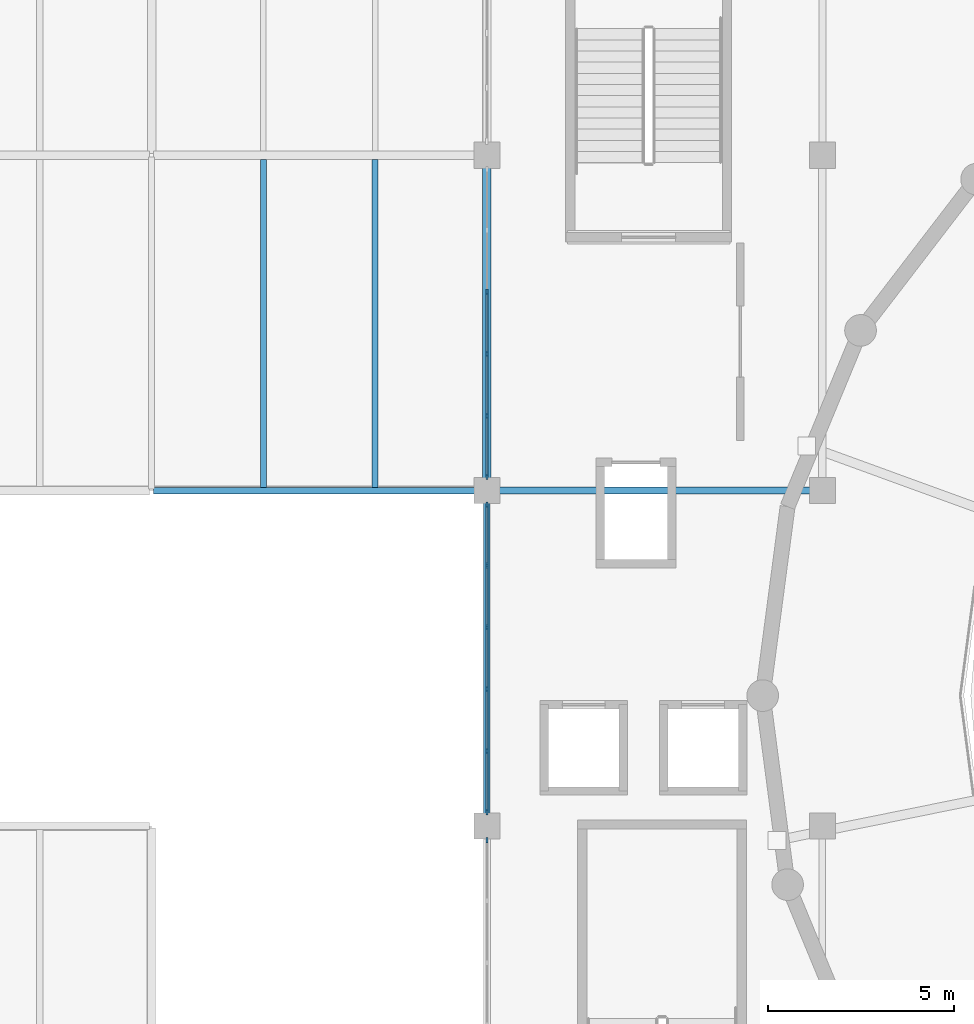
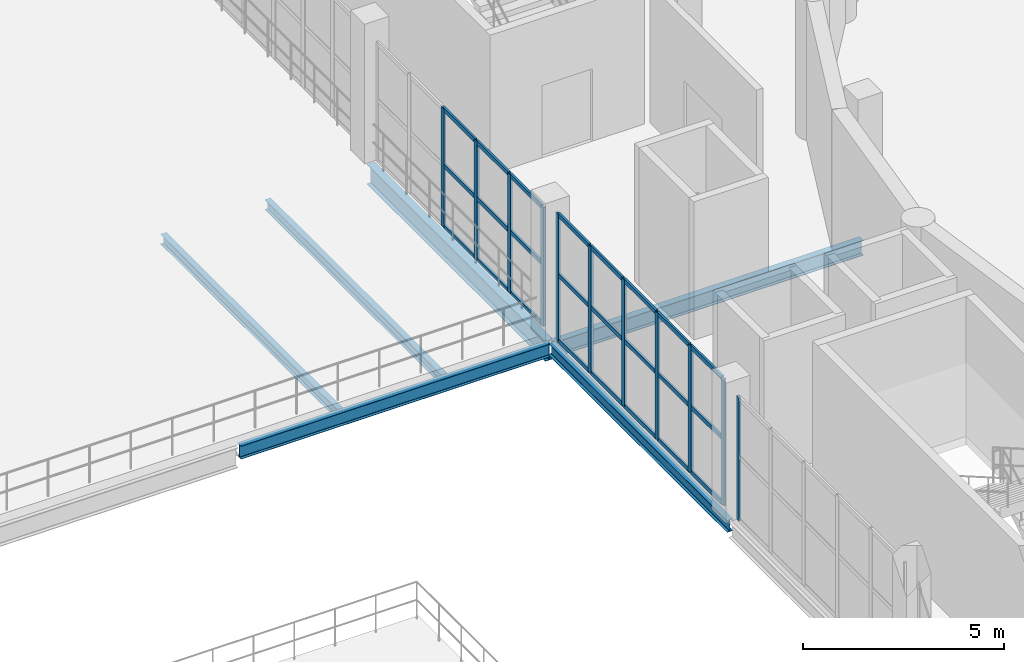
# One storey, part 22 of 73: 35 members, 6 beams, 3 elements without a shape of their own.
"""IFC4 building model written with IfcOpenShell, lengths in metres."""

import ifcopenshell
import ifcopenshell.guid

model = None  # the IFC model being written
_history = None  # IfcOwnerHistory: only IFC2X3 demands one
_inside = {}  # id of a spatial element -> (the spatial element, [elements in it])
_under = {}  # id of a project, library or spatial element -> (it, [spatial elements below it])
_declared = {}  # id of a project -> (the project, [libraries it declares])
_typed = {}  # id of a type object -> (the type object, [elements of that type])
_made_of = {}  # id of a material, layer set ... -> (it, [elements and type objects made of it])


def new_model(schema):
    """Start an empty IFC model of exactly this schema.

    Asked for "IFC4X3", IfcOpenShell would pick the latest addendum, in which some entities
    have other attributes; the version numbers below select the first issue.
    IFC2X3 requires an IfcOwnerHistory on every rooted entity: one is made here for all.
    """
    global model, _history
    if schema == "IFC4X3":
        model = ifcopenshell.file(schema_version=(4, 3, 0, 0))
    else:
        model = ifcopenshell.file(schema=schema)
    _inside.clear()
    _under.clear()
    _declared.clear()
    _typed.clear()
    _made_of.clear()
    _history = None
    if model.schema == "IFC2X3":
        org = make("IfcOrganization", Name="unknown")
        user = make(
            "IfcPersonAndOrganization",
            ThePerson=make("IfcPerson", FamilyName="unknown"),
            TheOrganization=org,
        )
        app = make(
            "IfcApplication",
            ApplicationDeveloper=org,
            Version="unknown",
            ApplicationFullName="unknown",
            ApplicationIdentifier="unknown",
        )
        _history = make(
            "IfcOwnerHistory",
            OwningUser=user,
            OwningApplication=app,
            ChangeAction="ADDED",
            CreationDate=0,
        )
    return model


def make(cls, **values):
    """One entity of the class cls with the attributes given. An attribute that is None is left unset."""
    return model.create_entity(
        cls, **{name: value for name, value in values.items() if value is not None}
    )


def rooted(cls, **values):
    """An entity with a GlobalId (a new one), such as an element, a storey or a relation."""
    return make(cls, GlobalId=ifcopenshell.guid.new(), OwnerHistory=_history, **values)


def si_unit(unit_type, name, prefix=None):
    """IfcSIUnit, for example si_unit("LENGTHUNIT", "METRE", prefix="MILLI")."""
    return make("IfcSIUnit", UnitType=unit_type, Prefix=prefix, Name=name)


def assignment(units):
    """IfcUnitAssignment: the units of a project."""
    return None if units is None else make("IfcUnitAssignment", Units=units)


def point(xyz):
    """IfcCartesianPoint."""
    return None if xyz is None else make("IfcCartesianPoint", Coordinates=xyz)


def direction(xyz):
    """IfcDirection."""
    return None if xyz is None else make("IfcDirection", DirectionRatios=xyz)


def frame(location, z_axis=None, x_axis=None):
    """IfcAxis2Placement3D, a coordinate frame: its origin and axes. An axis left out is left unset."""
    return make(
        "IfcAxis2Placement3D",
        Location=point(location),
        Axis=direction(z_axis),
        RefDirection=direction(x_axis),
    )


def frame_2d(location, x_axis=None):
    """IfcAxis2Placement2D, a coordinate frame in the plane: its origin and x axis."""
    return make(
        "IfcAxis2Placement2D", Location=point(location), RefDirection=direction(x_axis)
    )


def origin():
    """The frame at (0, 0, 0) with its axes left unset."""
    return frame((0.0, 0.0, 0.0))


def origin_2d():
    """The frame at (0, 0) in the plane with its x axis left unset."""
    return frame_2d((0.0, 0.0))


def place(relative_to, where):
    """IfcLocalPlacement: puts the frame where relative to a parent placement (None: the world)."""
    return make(
        "IfcLocalPlacement", PlacementRelTo=relative_to, RelativePlacement=where
    )


def context(
    kind, dimensions, precision=None, world=None, true_north=None, identifier=None
):
    """IfcGeometricRepresentationContext, for example the 3D "Model" context."""
    return make(
        "IfcGeometricRepresentationContext",
        ContextIdentifier=identifier,
        ContextType=kind,
        CoordinateSpaceDimension=dimensions,
        Precision=precision,
        WorldCoordinateSystem=world,
        TrueNorth=true_north,
    )


def subcontext(parent, identifier, kind, view, scale=None):
    """IfcGeometricRepresentationSubContext, for example "Body" below "Model"."""
    return make(
        "IfcGeometricRepresentationSubContext",
        ContextIdentifier=identifier,
        ContextType=kind,
        ParentContext=parent,
        TargetScale=scale,
        TargetView=view,
    )


def project(units=None, contexts=None):
    """IfcProject with its units and contexts."""
    return rooted(
        "IfcProject",
        Name="project",
        RepresentationContexts=contexts,
        UnitsInContext=assignment(units),
    )


def spatial(cls, under=None, at=None, **own):
    """A site, building, storey or space (cls), placed at a placement, below another one or the project."""
    s = rooted(cls, ObjectPlacement=at, **own)
    if under is not None:
        _under.setdefault(under.id(), (under, []))[1].append(s)
    return s


def profile(cls, at=None, kind="AREA", **sizes):
    """A parametric profile (cls). Its sizes go by their IFC names, for example OverallWidth=200.0."""
    return make(cls, ProfileType=kind, Position=at, **sizes)


def rectangle(**sizes):
    """IfcRectangleProfileDef."""
    return profile("IfcRectangleProfileDef", **sizes)


def i_section(**sizes):
    """IfcIShapeProfileDef."""
    return profile("IfcIShapeProfileDef", **sizes)


def extrude(swept, where, along, depth):
    """IfcExtrudedAreaSolid: the profile swept, set in the frame where, extruded along a direction by depth."""
    return make(
        "IfcExtrudedAreaSolid",
        SweptArea=swept,
        Position=where,
        ExtrudedDirection=direction(along),
        Depth=depth,
    )


def shape(context_of_items, identifier, shape_type, items):
    """IfcShapeRepresentation: the items that make up one representation, for example the "Body"."""
    return make(
        "IfcShapeRepresentation",
        ContextOfItems=context_of_items,
        RepresentationIdentifier=identifier,
        RepresentationType=shape_type,
        Items=items,
    )


def material(Name=None, Category=None):
    """IfcMaterial."""
    return make("IfcMaterial", Name=Name, Category=Category)


def layer(
    of_material, thickness, ventilated=None, Name=None, Category=None, Priority=None
):
    """IfcMaterialLayer: one layer of a wall or slab, of a material (None: an air gap)."""
    return make(
        "IfcMaterialLayer",
        Material=of_material,
        LayerThickness=thickness,
        IsVentilated=ventilated,
        Name=Name,
        Category=Category,
        Priority=Priority,
    )


def layer_set(layers, Name=None):
    """IfcMaterialLayerSet."""
    return make("IfcMaterialLayerSet", MaterialLayers=layers, LayerSetName=Name)


def material_profile(
    of_material, cross_section, Name=None, Category=None, Priority=None
):
    """IfcMaterialProfile: a cross section and its material."""
    return make(
        "IfcMaterialProfile",
        Name=Name,
        Material=of_material,
        Profile=cross_section,
        Priority=Priority,
        Category=Category,
    )


def profile_set(profiles, Name=None, composite=None):
    """IfcMaterialProfileSet."""
    return make(
        "IfcMaterialProfileSet",
        Name=Name,
        MaterialProfiles=profiles,
        CompositeProfile=composite,
    )


def made_of(thing, what):
    """Note that an element or type object is made of a material, layer set ...; save() writes the relation."""
    if what is not None:
        _made_of.setdefault(what.id(), (what, []))[1].append(thing)
    return thing


def type_object(cls, material=None, **own):
    """A type object (cls), such as IfcWallType, which elements share."""
    return made_of(rooted(cls, **own), material)


def element(
    cls,
    number,
    at=None,
    inside=None,
    cuts=None,
    type_object=None,
    material=None,
    context=None,
    identifier="Body",
    shape_type=None,
    held_by="IfcProductDefinitionShape",
    body=None,
    shapes=None,
    **own,
):
    """One element of the class cls, such as IfcWall. Its Tag is "e" and its number.

    at: its placement. inside: the storey or other place that contains it. cuts: it is an
    opening in that element (IfcRelVoidsElement). A single representation is given by context,
    identifier, shape_type and body (its items); several are given by shapes. held_by: the class
    of the entity that holds the representations. save() writes the other relations.
    """
    e = rooted(cls, Tag="e%d" % number, ObjectPlacement=at, **own)
    if body is not None:
        shapes = [shape(context, identifier, shape_type, body)]
    if shapes is not None:
        e.Representation = make(held_by, Representations=shapes)
    if inside is not None:
        _inside.setdefault(inside.id(), (inside, []))[1].append(e)
    if cuts is not None:
        rooted(
            "IfcRelVoidsElement", RelatingBuildingElement=cuts, RelatedOpeningElement=e
        )
    if type_object is not None:
        _typed.setdefault(type_object.id(), (type_object, []))[1].append(e)
    return made_of(e, material)


def aggregate(whole, parts):
    """IfcRelAggregates: a whole, such as a stair, and the parts it consists of."""
    return rooted("IfcRelAggregates", RelatingObject=whole, RelatedObjects=parts)


def save(model, path):
    """Write the relations noted so far, then the file.

    IfcRelAggregates (storeys below a building ...), IfcRelContainedInSpatialStructure (elements
    in a storey), IfcRelDefinesByType, IfcRelAssociatesMaterial and IfcRelDeclares: one each for
    every whole, place, type object, material and project.
    """
    for whole, parts in _under.values():
        aggregate(whole, parts)
    for where, things in _inside.values():
        rooted(
            "IfcRelContainedInSpatialStructure",
            RelatedElements=things,
            RelatingStructure=where,
        )
    for kind, things in _typed.values():
        rooted("IfcRelDefinesByType", RelatedObjects=things, RelatingType=kind)
    for what, things in _made_of.values():
        rooted("IfcRelAssociatesMaterial", RelatedObjects=things, RelatingMaterial=what)
    for by, libraries in _declared.values():
        rooted("IfcRelDeclares", RelatingContext=by, RelatedDefinitions=libraries)
    model.write(path)


model = new_model("IFC4")

# Units and contexts
model_context = context("Model", 3, precision=1e-05, world=origin(), true_north=direction((0.0, 1.0)))
body_context = subcontext(model_context, "Body", "Model", "MODEL_VIEW")
ifc_project = project(units=[si_unit("LENGTHUNIT", "METRE"), si_unit("AREAUNIT", "SQUARE_METRE"), si_unit("VOLUMEUNIT", "CUBIC_METRE"), si_unit("PLANEANGLEUNIT", "RADIAN"), si_unit("MASSUNIT", "GRAM", prefix="KILO")], contexts=[model_context])

# Site, building, storey
site_placement = place(None, origin())
site = spatial("IfcSite", under=ifc_project, at=site_placement, CompositionType="ELEMENT")
building_placement = place(site_placement, origin())
building = spatial("IfcBuilding", under=site, at=building_placement, Name="Marnock Terrace Opera House", CompositionType="ELEMENT")
storey_placement = place(building_placement, frame((0.0, 0.0, 14.699951171875)))
storey = spatial("IfcBuildingStorey", under=building, at=storey_placement, Name="L03", CompositionType="ELEMENT", Elevation=14.699951171875)

# Beams
ifc_material_1 = material(Name="Steel Grade 350 (AS/NZS 3679.1)", Category="steel")
ifc_material_profile_1 = material_profile(ifc_material_1, i_section(OverallWidth=0.1708984375, OverallDepth=0.355712890625, WebThickness=0.00732421875, FlangeThickness=0.011474609375, FilletRadius=0.011474609375, at=origin_2d()))
ifc_profile_set_1 = profile_set([ifc_material_profile_1], Name="Steel Grade 350 (AS/NZS 3679.1)")
beam_type_1 = type_object("IfcBeamType", Name="BM-GIRD-360", PredefinedType="BEAM", material=ifc_profile_set_1)
beam_1_placement = place(storey_placement, frame((55.0, 57.050048828125, -0.44775390625), z_axis=(0.0, 1.0, 0.0), x_axis=(-1.0, 0.0, 0.0)))
element("IfcBeam", 1, at=beam_1_placement, inside=storey, type_object=beam_type_1, Name="L03 girder (X=55.0, 57.0..66.0)", PredefinedType="BEAM", context=body_context, shape_type="SweptSolid", body=[
    extrude(i_section(OverallWidth=0.1708984375, OverallDepth=0.355712890625, WebThickness=0.00732421875, FlangeThickness=0.011474609375, FilletRadius=0.011474609375, at=origin_2d()), origin(), (0.0, 0.0, 1.0), 8.89990234375),
])
ifc_material_profile_2 = material_profile(ifc_material_1, i_section(OverallWidth=0.177978515625, OverallDepth=0.402587890625, WebThickness=0.007568359375, FlangeThickness=0.010986328125, FilletRadius=0.011474609375, at=origin_2d()))
ifc_profile_set_2 = profile_set([ifc_material_profile_2], Name="Steel Grade 350 (AS/NZS 3679.1)")
beam_type_2 = type_object("IfcBeamType", Name="BM-GIRD-410", PredefinedType="BEAM", material=ifc_profile_set_2)
beam_2_placement = place(storey_placement, frame((46.050048828125, 66.0, -0.47119140625), z_axis=(1.0, 0.0, 0.0), x_axis=(0.0, 1.0, 0.0)))
element("IfcBeam", 2, at=beam_2_placement, inside=storey, type_object=beam_type_2, Name="L03 girder (46.0..55.0, Y=66.0)", PredefinedType="BEAM", context=body_context, shape_type="SweptSolid", body=[
    extrude(i_section(OverallWidth=0.177978515625, OverallDepth=0.402587890625, WebThickness=0.007568359375, FlangeThickness=0.010986328125, FilletRadius=0.011474609375, at=origin_2d()), origin(), (0.0, 0.0, 1.0), 8.89990234375),
])
ifc_material_profile_3 = material_profile(ifc_material_1, i_section(OverallWidth=0.19091796875, OverallDepth=0.46044921875, WebThickness=0.010009765625, FlangeThickness=0.01611328125, FilletRadius=0.011474609375, at=origin_2d()))
ifc_profile_set_3 = profile_set([ifc_material_profile_3], Name="Steel Grade 350 (AS/NZS 3679.1)")
beam_type_3 = type_object("IfcBeamType", Name="BM-GIRD-460A", PredefinedType="BEAM", material=ifc_profile_set_3)
beam_3_placement = place(storey_placement, frame((55.050048828125, 66.0, -0.500244140625), z_axis=(1.0, 0.0, 0.0), x_axis=(0.0, 1.0, 0.0)))
element("IfcBeam", 3, at=beam_3_placement, inside=storey, type_object=beam_type_3, Name="L03 girder (55.0..64.0, Y=66.0)", PredefinedType="BEAM", context=body_context, shape_type="SweptSolid", body=[
    extrude(i_section(OverallWidth=0.19091796875, OverallDepth=0.46044921875, WebThickness=0.010009765625, FlangeThickness=0.01611328125, FilletRadius=0.011474609375, at=origin_2d()), origin(), (0.0, 0.0, 1.0), 8.89990234375),
])
ifc_material_profile_4 = material_profile(ifc_material_1, i_section(OverallWidth=0.22802734375, OverallDepth=0.60205078125, WebThickness=0.010498046875, FlangeThickness=0.014892578125, FilletRadius=0.013916015625, at=origin_2d()))
ifc_profile_set_4 = profile_set([ifc_material_profile_4], Name="Steel Grade 350 (AS/NZS 3679.1)")
beam_type_4 = type_object("IfcBeamType", Name="BM-GIRD-610C", PredefinedType="BEAM", material=ifc_profile_set_4)
beam_4_placement = place(storey_placement, frame((55.0, 66.050048828125, -0.571044921875), z_axis=(0.0, 1.0, 0.0), x_axis=(-1.0, 0.0, 0.0)))
element("IfcBeam", 4, at=beam_4_placement, inside=storey, type_object=beam_type_4, Name="L03 girder (X=55.0, 66.0..75.0)", PredefinedType="BEAM", context=body_context, shape_type="SweptSolid", body=[
    extrude(i_section(OverallWidth=0.22802734375, OverallDepth=0.60205078125, WebThickness=0.010498046875, FlangeThickness=0.014892578125, FilletRadius=0.013916015625, at=origin_2d()), origin(), (0.0, 0.0, 1.0), 8.89990234375),
])
ifc_material_profile_5 = material_profile(ifc_material_1, i_section(OverallWidth=0.1650390625, OverallDepth=0.3037109375, WebThickness=0.006103515625, FlangeThickness=0.01025390625, FilletRadius=0.011474609375, at=origin_2d()))
ifc_profile_set_5 = profile_set([ifc_material_profile_5], Name="Steel Grade 350 (AS/NZS 3679.1)")
beam_type_5 = type_object("IfcBeamType", Name="BM-JOIST-310B", PredefinedType="JOIST", material=ifc_profile_set_5)
for number, where, z_axis, x_axis, name in (
    (5, (49.0, 66.083984375, -0.421875), (0.0, 1.0, 0.0), (-1.0, 0.0, 0.0), "L03 secondary joist 5.8.1"),
    (6, (52.0, 66.083984375, -0.421875), (0.0, 1.0, 0.0), (-1.0, 0.0, 0.0), "L03 secondary joist 5.8.2"),
):
    element("IfcBeam", number, at=place(storey_placement, frame(where, z_axis=z_axis, x_axis=x_axis)), inside=storey, type_object=beam_type_5, Name=name, PredefinedType="JOIST", context=body_context, shape_type="SweptSolid", body=[
        extrude(i_section(OverallWidth=0.1650390625, OverallDepth=0.3037109375, WebThickness=0.006103515625, FlangeThickness=0.01025390625, FilletRadius=0.011474609375, at=origin_2d()), origin(), (0.0, 0.0, 1.0), 8.806396484375),
    ])

# Curtain wall, member
ifc_material_2 = material(Name="Anodised architectural bronze aluminium framing", Category="aluminium")
ifc_layer = layer(ifc_material_2, 0.159912109375)
ifc_layer_set = layer_set([ifc_layer], Name="Anodised architectural bronze aluminium framing")
curtain_wall_type = type_object("IfcCurtainWallType", Name="CW-FOYER-90x42", PredefinedType="NOTDEFINED", material=ifc_layer_set)
curtain_wall_1_placement = place(storey_placement, origin())
curtain_wall_1 = element("IfcCurtainWall", 7, at=curtain_wall_1_placement, inside=storey, type_object=curtain_wall_type, Name="L03 glazed Beaux-Arts colonnade curtain wall CW-V1W-L03-06", PredefinedType="NOTDEFINED")
ifc_material_profile_6 = material_profile(ifc_material_2, rectangle(XDim=0.06005859375, YDim=0.14990234375, at=origin_2d()))
ifc_profile_set_6 = profile_set([ifc_material_profile_6], Name="Anodised architectural bronze aluminium framing")
member_type_1 = type_object("IfcMemberType", Name="CWM-60x150", PredefinedType="MULLION", material=ifc_profile_set_6)
member_1_placement = place(storey_placement, frame((55.0, 56.6240234375, 0.0), z_axis=(0.0, 0.0, 1.0), x_axis=(-1.0, 0.0, 0.0)))
member_1 = element("IfcMember", 8, at=member_1_placement, type_object=member_type_1, Name="CW-68 mullion 6", PredefinedType="MULLION", context=body_context, shape_type="SweptSolid", body=[
    extrude(rectangle(XDim=0.06005859375, YDim=0.14990234375, at=origin_2d()), origin(), (0.0, 0.0, 1.0), 3.74267578125),
])
aggregate(curtain_wall_1, [member_1])

# Curtain wall, members
curtain_wall_2_placement = place(storey_placement, origin())
curtain_wall_2 = element("IfcCurtainWall", 9, at=curtain_wall_2_placement, inside=storey, type_object=curtain_wall_type, Name="L03 glazed Beaux-Arts colonnade curtain wall CW-V1W-L03-07", PredefinedType="NOTDEFINED")
member_2_placement = place(storey_placement, frame((55.0, 57.3759765625, 0.0), z_axis=(0.0, 0.0, 1.0), x_axis=(-1.0, 0.0, 0.0)))
member_2 = element("IfcMember", 10, at=member_2_placement, type_object=member_type_1, Name="CW-68 mullion 1", PredefinedType="MULLION", context=body_context, shape_type="SweptSolid", body=[
    extrude(rectangle(XDim=0.06005859375, YDim=0.14990234375, at=origin_2d()), origin(), (0.0, 0.0, 1.0), 3.864501953125),
])
member_3_placement = place(storey_placement, frame((55.0, 59.007568359375, 0.0), z_axis=(0.0, 0.0, 1.0), x_axis=(-1.0, 0.0, 0.0)))
member_3 = element("IfcMember", 11, at=member_3_placement, type_object=member_type_1, Name="CW-68 mullion 2", PredefinedType="MULLION", context=body_context, shape_type="SweptSolid", body=[
    extrude(rectangle(XDim=0.06005859375, YDim=0.14990234375, at=origin_2d()), origin(), (0.0, 0.0, 1.0), 3.864501953125),
])
member_4_placement = place(storey_placement, frame((55.0, 60.669189453125, 0.0), z_axis=(0.0, 0.0, 1.0), x_axis=(-1.0, 0.0, 0.0)))
member_4 = element("IfcMember", 12, at=member_4_placement, type_object=member_type_1, Name="CW-68 mullion 3", PredefinedType="MULLION", context=body_context, shape_type="SweptSolid", body=[
    extrude(rectangle(XDim=0.06005859375, YDim=0.14990234375, at=origin_2d()), origin(), (0.0, 0.0, 1.0), 3.864501953125),
])
member_5_placement = place(storey_placement, frame((55.0, 62.330810546875, 0.0), z_axis=(0.0, 0.0, 1.0), x_axis=(-1.0, 0.0, 0.0)))
member_5 = element("IfcMember", 13, at=member_5_placement, type_object=member_type_1, Name="CW-68 mullion 4", PredefinedType="MULLION", context=body_context, shape_type="SweptSolid", body=[
    extrude(rectangle(XDim=0.06005859375, YDim=0.14990234375, at=origin_2d()), origin(), (0.0, 0.0, 1.0), 3.864501953125),
])
member_6_placement = place(storey_placement, frame((55.0, 63.992431640625, 0.0), z_axis=(0.0, 0.0, 1.0), x_axis=(-1.0, 0.0, 0.0)))
member_6 = element("IfcMember", 14, at=member_6_placement, type_object=member_type_1, Name="CW-68 mullion 5", PredefinedType="MULLION", context=body_context, shape_type="SweptSolid", body=[
    extrude(rectangle(XDim=0.06005859375, YDim=0.14990234375, at=origin_2d()), origin(), (0.0, 0.0, 1.0), 3.864501953125),
])
member_7_placement = place(storey_placement, frame((55.0, 65.6240234375, 0.0), z_axis=(0.0, 0.0, 1.0), x_axis=(-1.0, 0.0, 0.0)))
member_7 = element("IfcMember", 15, at=member_7_placement, type_object=member_type_1, Name="CW-68 mullion 6", PredefinedType="MULLION", context=body_context, shape_type="SweptSolid", body=[
    extrude(rectangle(XDim=0.06005859375, YDim=0.14990234375, at=origin_2d()), origin(), (0.0, 0.0, 1.0), 3.864501953125),
])

curtain_wall_3_placement = place(storey_placement, origin())
curtain_wall_3 = element("IfcCurtainWall", 16, at=curtain_wall_3_placement, inside=storey, type_object=curtain_wall_type, Name="L03 glazed Beaux-Arts colonnade curtain wall CW-V1W-L03-08", PredefinedType="NOTDEFINED")
member_8_placement = place(storey_placement, frame((55.0, 66.3759765625, 0.0), z_axis=(0.0, 0.0, 1.0), x_axis=(-1.0, 0.0, 0.0)))
member_8 = element("IfcMember", 17, at=member_8_placement, type_object=member_type_1, Name="CW-68 mullion 1", PredefinedType="MULLION", context=body_context, shape_type="SweptSolid", body=[
    extrude(rectangle(XDim=0.06005859375, YDim=0.14990234375, at=origin_2d()), origin(), (0.0, 0.0, 1.0), 3.6181640625),
])
member_9_placement = place(storey_placement, frame((55.0, 68.007568359375, 0.0), z_axis=(0.0, 0.0, 1.0), x_axis=(-1.0, 0.0, 0.0)))
member_9 = element("IfcMember", 18, at=member_9_placement, type_object=member_type_1, Name="CW-68 mullion 2", PredefinedType="MULLION", context=body_context, shape_type="SweptSolid", body=[
    extrude(rectangle(XDim=0.06005859375, YDim=0.14990234375, at=origin_2d()), origin(), (0.0, 0.0, 1.0), 3.6181640625),
])
member_10_placement = place(storey_placement, frame((55.0, 69.669189453125, 0.0), z_axis=(0.0, 0.0, 1.0), x_axis=(-1.0, 0.0, 0.0)))
member_10 = element("IfcMember", 19, at=member_10_placement, type_object=member_type_1, Name="CW-68 mullion 3", PredefinedType="MULLION", context=body_context, shape_type="SweptSolid", body=[
    extrude(rectangle(XDim=0.06005859375, YDim=0.14990234375, at=origin_2d()), origin(), (0.0, 0.0, 1.0), 3.6181640625),
])
member_11_placement = place(storey_placement, frame((55.0, 71.330810546875, 0.0), z_axis=(0.0, 0.0, 1.0), x_axis=(-1.0, 0.0, 0.0)))
member_11 = element("IfcMember", 20, at=member_11_placement, type_object=member_type_1, Name="CW-68 mullion 4", PredefinedType="MULLION", context=body_context, shape_type="SweptSolid", body=[
    extrude(rectangle(XDim=0.06005859375, YDim=0.14990234375, at=origin_2d()), origin(), (0.0, 0.0, 1.0), 3.6181640625),
])

# Member
ifc_material_profile_7 = material_profile(ifc_material_2, rectangle(XDim=0.06005859375, YDim=0.1298828125, at=origin_2d()))
ifc_profile_set_7 = profile_set([ifc_material_profile_7], Name="Anodised architectural bronze aluminium framing")
member_type_2 = type_object("IfcMemberType", Name="CWT-60x130", PredefinedType="USERDEFINED", material=ifc_profile_set_7)
member_12_placement = place(storey_placement, frame((55.0, 57.406005859375, 0.030029296875), z_axis=(0.0, 1.0, 0.0), x_axis=(-1.0, 0.0, 0.0)))
member_12 = element("IfcMember", 21, at=member_12_placement, type_object=member_type_2, Name="CW-68 transom 1.1", ObjectType="TRANSOM", PredefinedType="USERDEFINED", context=body_context, shape_type="SweptSolid", body=[
    extrude(rectangle(XDim=0.06005859375, YDim=0.1298828125, at=origin_2d()), origin(), (0.0, 0.0, 1.0), 1.571533203125),
])

member_13_placement = place(storey_placement, frame((55.0, 57.406005859375, 2.009521484375), z_axis=(0.0, 1.0, 0.0), x_axis=(-1.0, 0.0, 0.0)))
member_13 = element("IfcMember", 22, at=member_13_placement, type_object=member_type_2, Name="CW-68 transom 1.2", ObjectType="TRANSOM", PredefinedType="USERDEFINED", context=body_context, shape_type="SweptSolid", body=[
    extrude(rectangle(XDim=0.06005859375, YDim=0.1298828125, at=origin_2d()), origin(), (0.0, 0.0, 1.0), 1.571533203125),
])

member_14_placement = place(storey_placement, frame((55.0, 57.406005859375, 3.83447265625), z_axis=(0.0, 1.0, 0.0), x_axis=(-1.0, 0.0, 0.0)))
member_14 = element("IfcMember", 23, at=member_14_placement, type_object=member_type_2, Name="CW-68 transom 1.3", ObjectType="TRANSOM", PredefinedType="USERDEFINED", context=body_context, shape_type="SweptSolid", body=[
    extrude(rectangle(XDim=0.06005859375, YDim=0.1298828125, at=origin_2d()), origin(), (0.0, 0.0, 1.0), 1.571533203125),
])

member_15_placement = place(storey_placement, frame((55.0, 59.03759765625, 0.030029296875), z_axis=(0.0, 1.0, 0.0), x_axis=(-1.0, 0.0, 0.0)))
member_15 = element("IfcMember", 24, at=member_15_placement, type_object=member_type_2, Name="CW-68 transom 2.1", ObjectType="TRANSOM", PredefinedType="USERDEFINED", context=body_context, shape_type="SweptSolid", body=[
    extrude(rectangle(XDim=0.06005859375, YDim=0.1298828125, at=origin_2d()), origin(), (0.0, 0.0, 1.0), 1.6015625),
])

member_16_placement = place(storey_placement, frame((55.0, 59.03759765625, 2.009521484375), z_axis=(0.0, 1.0, 0.0), x_axis=(-1.0, 0.0, 0.0)))
member_16 = element("IfcMember", 25, at=member_16_placement, type_object=member_type_2, Name="CW-68 transom 2.2", ObjectType="TRANSOM", PredefinedType="USERDEFINED", context=body_context, shape_type="SweptSolid", body=[
    extrude(rectangle(XDim=0.06005859375, YDim=0.1298828125, at=origin_2d()), origin(), (0.0, 0.0, 1.0), 1.6015625),
])

member_17_placement = place(storey_placement, frame((55.0, 59.03759765625, 3.83447265625), z_axis=(0.0, 1.0, 0.0), x_axis=(-1.0, 0.0, 0.0)))
member_17 = element("IfcMember", 26, at=member_17_placement, type_object=member_type_2, Name="CW-68 transom 2.3", ObjectType="TRANSOM", PredefinedType="USERDEFINED", context=body_context, shape_type="SweptSolid", body=[
    extrude(rectangle(XDim=0.06005859375, YDim=0.1298828125, at=origin_2d()), origin(), (0.0, 0.0, 1.0), 1.6015625),
])

member_18_placement = place(storey_placement, frame((55.0, 60.69921875, 0.030029296875), z_axis=(0.0, 1.0, 0.0), x_axis=(-1.0, 0.0, 0.0)))
member_18 = element("IfcMember", 27, at=member_18_placement, type_object=member_type_2, Name="CW-68 transom 3.1", ObjectType="TRANSOM", PredefinedType="USERDEFINED", context=body_context, shape_type="SweptSolid", body=[
    extrude(rectangle(XDim=0.06005859375, YDim=0.1298828125, at=origin_2d()), origin(), (0.0, 0.0, 1.0), 1.6015625),
])

member_19_placement = place(storey_placement, frame((55.0, 60.69921875, 2.009521484375), z_axis=(0.0, 1.0, 0.0), x_axis=(-1.0, 0.0, 0.0)))
member_19 = element("IfcMember", 28, at=member_19_placement, type_object=member_type_2, Name="CW-68 transom 3.2", ObjectType="TRANSOM", PredefinedType="USERDEFINED", context=body_context, shape_type="SweptSolid", body=[
    extrude(rectangle(XDim=0.06005859375, YDim=0.1298828125, at=origin_2d()), origin(), (0.0, 0.0, 1.0), 1.6015625),
])

member_20_placement = place(storey_placement, frame((55.0, 60.69921875, 3.83447265625), z_axis=(0.0, 1.0, 0.0), x_axis=(-1.0, 0.0, 0.0)))
member_20 = element("IfcMember", 29, at=member_20_placement, type_object=member_type_2, Name="CW-68 transom 3.3", ObjectType="TRANSOM", PredefinedType="USERDEFINED", context=body_context, shape_type="SweptSolid", body=[
    extrude(rectangle(XDim=0.06005859375, YDim=0.1298828125, at=origin_2d()), origin(), (0.0, 0.0, 1.0), 1.6015625),
])

member_21_placement = place(storey_placement, frame((55.0, 62.36083984375, 0.030029296875), z_axis=(0.0, 1.0, 0.0), x_axis=(-1.0, 0.0, 0.0)))
member_21 = element("IfcMember", 30, at=member_21_placement, type_object=member_type_2, Name="CW-68 transom 4.1", ObjectType="TRANSOM", PredefinedType="USERDEFINED", context=body_context, shape_type="SweptSolid", body=[
    extrude(rectangle(XDim=0.06005859375, YDim=0.1298828125, at=origin_2d()), origin(), (0.0, 0.0, 1.0), 1.6015625),
])

member_22_placement = place(storey_placement, frame((55.0, 62.36083984375, 2.009521484375), z_axis=(0.0, 1.0, 0.0), x_axis=(-1.0, 0.0, 0.0)))
member_22 = element("IfcMember", 31, at=member_22_placement, type_object=member_type_2, Name="CW-68 transom 4.2", ObjectType="TRANSOM", PredefinedType="USERDEFINED", context=body_context, shape_type="SweptSolid", body=[
    extrude(rectangle(XDim=0.06005859375, YDim=0.1298828125, at=origin_2d()), origin(), (0.0, 0.0, 1.0), 1.6015625),
])

member_23_placement = place(storey_placement, frame((55.0, 62.36083984375, 3.83447265625), z_axis=(0.0, 1.0, 0.0), x_axis=(-1.0, 0.0, 0.0)))
member_23 = element("IfcMember", 32, at=member_23_placement, type_object=member_type_2, Name="CW-68 transom 4.3", ObjectType="TRANSOM", PredefinedType="USERDEFINED", context=body_context, shape_type="SweptSolid", body=[
    extrude(rectangle(XDim=0.06005859375, YDim=0.1298828125, at=origin_2d()), origin(), (0.0, 0.0, 1.0), 1.6015625),
])

member_24_placement = place(storey_placement, frame((55.0, 64.0224609375, 0.030029296875), z_axis=(0.0, 1.0, 0.0), x_axis=(-1.0, 0.0, 0.0)))
member_24 = element("IfcMember", 33, at=member_24_placement, type_object=member_type_2, Name="CW-68 transom 5.1", ObjectType="TRANSOM", PredefinedType="USERDEFINED", context=body_context, shape_type="SweptSolid", body=[
    extrude(rectangle(XDim=0.06005859375, YDim=0.1298828125, at=origin_2d()), origin(), (0.0, 0.0, 1.0), 1.571533203125),
])

member_25_placement = place(storey_placement, frame((55.0, 64.0224609375, 2.009521484375), z_axis=(0.0, 1.0, 0.0), x_axis=(-1.0, 0.0, 0.0)))
member_25 = element("IfcMember", 34, at=member_25_placement, type_object=member_type_2, Name="CW-68 transom 5.2", ObjectType="TRANSOM", PredefinedType="USERDEFINED", context=body_context, shape_type="SweptSolid", body=[
    extrude(rectangle(XDim=0.06005859375, YDim=0.1298828125, at=origin_2d()), origin(), (0.0, 0.0, 1.0), 1.571533203125),
])

member_26_placement = place(storey_placement, frame((55.0, 64.0224609375, 3.83447265625), z_axis=(0.0, 1.0, 0.0), x_axis=(-1.0, 0.0, 0.0)))
member_26 = element("IfcMember", 35, at=member_26_placement, type_object=member_type_2, Name="CW-68 transom 5.3", ObjectType="TRANSOM", PredefinedType="USERDEFINED", context=body_context, shape_type="SweptSolid", body=[
    extrude(rectangle(XDim=0.06005859375, YDim=0.1298828125, at=origin_2d()), origin(), (0.0, 0.0, 1.0), 1.571533203125),
])

aggregate(curtain_wall_2, [member_2, member_3, member_4, member_5, member_6, member_7, member_12, member_13, member_14, member_15, member_16, member_17, member_18, member_19, member_20, member_21, member_22, member_23, member_24, member_25, member_26])

member_27_placement = place(storey_placement, frame((55.0, 66.406005859375, 0.030029296875), z_axis=(0.0, 1.0, 0.0), x_axis=(-1.0, 0.0, 0.0)))
member_27 = element("IfcMember", 36, at=member_27_placement, type_object=member_type_2, Name="CW-68 transom 1.1", ObjectType="TRANSOM", PredefinedType="USERDEFINED", context=body_context, shape_type="SweptSolid", body=[
    extrude(rectangle(XDim=0.06005859375, YDim=0.1298828125, at=origin_2d()), origin(), (0.0, 0.0, 1.0), 1.571533203125),
])

member_28_placement = place(storey_placement, frame((55.0, 66.406005859375, 1.88134765625), z_axis=(0.0, 1.0, 0.0), x_axis=(-1.0, 0.0, 0.0)))
member_28 = element("IfcMember", 37, at=member_28_placement, type_object=member_type_2, Name="CW-68 transom 1.2", ObjectType="TRANSOM", PredefinedType="USERDEFINED", context=body_context, shape_type="SweptSolid", body=[
    extrude(rectangle(XDim=0.06005859375, YDim=0.1298828125, at=origin_2d()), origin(), (0.0, 0.0, 1.0), 1.571533203125),
])

member_29_placement = place(storey_placement, frame((55.0, 66.406005859375, 3.588134765625), z_axis=(0.0, 1.0, 0.0), x_axis=(-1.0, 0.0, 0.0)))
member_29 = element("IfcMember", 38, at=member_29_placement, type_object=member_type_2, Name="CW-68 transom 1.3", ObjectType="TRANSOM", PredefinedType="USERDEFINED", context=body_context, shape_type="SweptSolid", body=[
    extrude(rectangle(XDim=0.06005859375, YDim=0.1298828125, at=origin_2d()), origin(), (0.0, 0.0, 1.0), 1.571533203125),
])

member_30_placement = place(storey_placement, frame((55.0, 68.03759765625, 0.030029296875), z_axis=(0.0, 1.0, 0.0), x_axis=(-1.0, 0.0, 0.0)))
member_30 = element("IfcMember", 39, at=member_30_placement, type_object=member_type_2, Name="CW-68 transom 2.1", ObjectType="TRANSOM", PredefinedType="USERDEFINED", context=body_context, shape_type="SweptSolid", body=[
    extrude(rectangle(XDim=0.06005859375, YDim=0.1298828125, at=origin_2d()), origin(), (0.0, 0.0, 1.0), 1.6015625),
])

member_31_placement = place(storey_placement, frame((55.0, 68.03759765625, 1.88134765625), z_axis=(0.0, 1.0, 0.0), x_axis=(-1.0, 0.0, 0.0)))
member_31 = element("IfcMember", 40, at=member_31_placement, type_object=member_type_2, Name="CW-68 transom 2.2", ObjectType="TRANSOM", PredefinedType="USERDEFINED", context=body_context, shape_type="SweptSolid", body=[
    extrude(rectangle(XDim=0.06005859375, YDim=0.1298828125, at=origin_2d()), origin(), (0.0, 0.0, 1.0), 1.6015625),
])

member_32_placement = place(storey_placement, frame((55.0, 68.03759765625, 3.588134765625), z_axis=(0.0, 1.0, 0.0), x_axis=(-1.0, 0.0, 0.0)))
member_32 = element("IfcMember", 41, at=member_32_placement, type_object=member_type_2, Name="CW-68 transom 2.3", ObjectType="TRANSOM", PredefinedType="USERDEFINED", context=body_context, shape_type="SweptSolid", body=[
    extrude(rectangle(XDim=0.06005859375, YDim=0.1298828125, at=origin_2d()), origin(), (0.0, 0.0, 1.0), 1.6015625),
])

member_33_placement = place(storey_placement, frame((55.0, 69.69921875, 0.030029296875), z_axis=(0.0, 1.0, 0.0), x_axis=(-1.0, 0.0, 0.0)))
member_33 = element("IfcMember", 42, at=member_33_placement, type_object=member_type_2, Name="CW-68 transom 3.1", ObjectType="TRANSOM", PredefinedType="USERDEFINED", context=body_context, shape_type="SweptSolid", body=[
    extrude(rectangle(XDim=0.06005859375, YDim=0.1298828125, at=origin_2d()), origin(), (0.0, 0.0, 1.0), 1.6015625),
])

member_34_placement = place(storey_placement, frame((55.0, 69.69921875, 1.88134765625), z_axis=(0.0, 1.0, 0.0), x_axis=(-1.0, 0.0, 0.0)))
member_34 = element("IfcMember", 43, at=member_34_placement, type_object=member_type_2, Name="CW-68 transom 3.2", ObjectType="TRANSOM", PredefinedType="USERDEFINED", context=body_context, shape_type="SweptSolid", body=[
    extrude(rectangle(XDim=0.06005859375, YDim=0.1298828125, at=origin_2d()), origin(), (0.0, 0.0, 1.0), 1.6015625),
])

member_35_placement = place(storey_placement, frame((55.0, 69.69921875, 3.588134765625), z_axis=(0.0, 1.0, 0.0), x_axis=(-1.0, 0.0, 0.0)))
member_35 = element("IfcMember", 44, at=member_35_placement, type_object=member_type_2, Name="CW-68 transom 3.3", ObjectType="TRANSOM", PredefinedType="USERDEFINED", context=body_context, shape_type="SweptSolid", body=[
    extrude(rectangle(XDim=0.06005859375, YDim=0.1298828125, at=origin_2d()), origin(), (0.0, 0.0, 1.0), 1.6015625),
])

aggregate(curtain_wall_3, [member_8, member_9, member_10, member_11, member_27, member_28, member_29, member_30, member_31, member_32, member_33, member_34, member_35])

save(model, "model.ifc")
